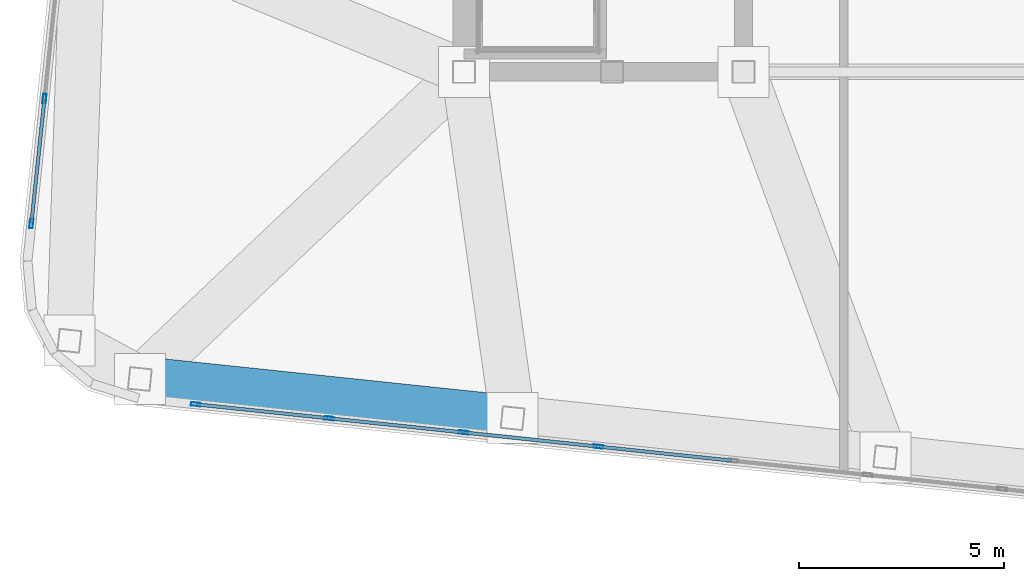
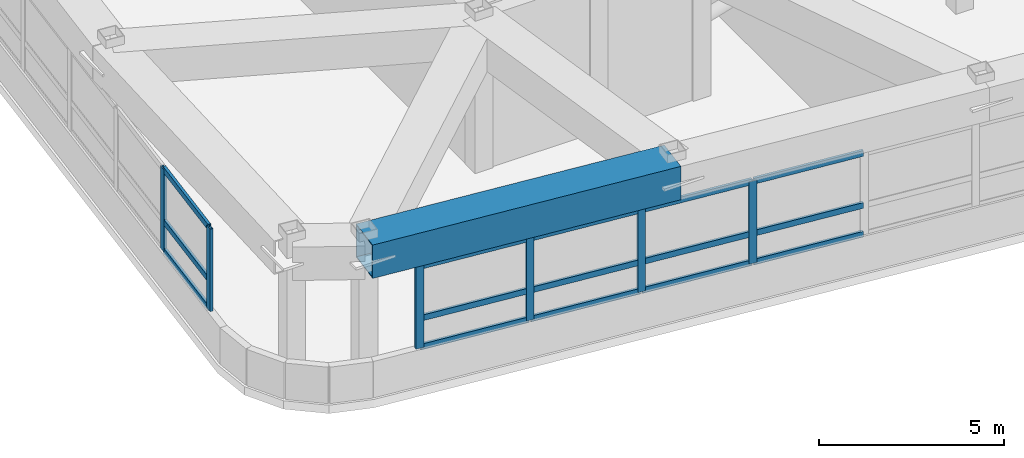
# One storey, part 2 of 23: 21 members, 1 beam, 2 elements without a shape of their own.
"""IFC4 building model written with IfcOpenShell, lengths in metres."""

from ifc_helpers import new_model, si_unit, direction, frame, origin, origin_2d, place, context, subcontext, project, spatial, hollow_rectangle, extrude, material, layer, layer_set, material_profile, profile_set, type_object, element, aggregate, save


model = new_model("IFC4")

# Units and contexts
model_context = context("Model", 3, precision=1e-05, world=origin(), true_north=direction((0.0, 1.0)))
body_context = subcontext(model_context, "Body", "Model", "MODEL_VIEW")
ifc_project = project(units=[si_unit("LENGTHUNIT", "METRE"), si_unit("AREAUNIT", "SQUARE_METRE"), si_unit("VOLUMEUNIT", "CUBIC_METRE"), si_unit("PLANEANGLEUNIT", "RADIAN"), si_unit("MASSUNIT", "GRAM", prefix="KILO")], contexts=[model_context])

# Site, building, storey
site_placement = place(None, origin())
site = spatial("IfcSite", under=ifc_project, at=site_placement, CompositionType="ELEMENT")
building_placement = place(site_placement, origin())
building = spatial("IfcBuilding", under=site, at=building_placement, Name="Voryun Gate Residences", CompositionType="ELEMENT")
storey_placement = place(building_placement, frame((0.0, 0.0, 316.0)))
storey = spatial("IfcBuildingStorey", under=building, at=storey_placement, Name="L78", CompositionType="ELEMENT", Elevation=316.0)

# Beam
ifc_material_1 = material(Name="Steel SM420", Category="steel")
ifc_material_profile_1 = material_profile(ifc_material_1, hollow_rectangle(XDim=1.10009765625, YDim=1.10009765625, WallThickness=0.035888671875, at=origin_2d()), Name="BOX-1100x1100x36")
ifc_profile_set_1 = profile_set([ifc_material_profile_1], Name="Steel SM420")
beam_type = type_object("IfcBeamType", Name="BM_ARCH_RIB", PredefinedType="USERDEFINED", material=ifc_profile_set_1)
beam_placement = place(storey_placement, frame((-27.088623046875, -14.871826171875, 4.47509765625), z_axis=(0.994523919568, -0.104509202498, 0.0), x_axis=(0.104509202498, 0.994523919568, 0.0)))
element("IfcBeam", 1, at=beam_placement, inside=storey, type_object=beam_type, Name="BM-L78-SPAND-01", ObjectType="GIRDER", PredefinedType="USERDEFINED", context=body_context, shape_type="SweptSolid", body=[
    extrude(hollow_rectangle(XDim=1.10009765625, YDim=1.10009765625, WallThickness=0.035888671875, at=origin_2d()), origin(), (0.0, 0.0, 1.0), 9.1201171875),
])

# Curtain wall, members
ifc_material_2 = material(Name="Anodised aluminium", Category="aluminium")
ifc_layer = layer(ifc_material_2, 0.22998046875, Name="CW_SYS_LANTERN_DARK_GLASS")
ifc_layer_set = layer_set([ifc_layer], Name="Anodised aluminium")
curtain_wall_type = type_object("IfcCurtainWallType", Name="CW_SYS_LANTERN_DARK_GLASS", PredefinedType="NOTDEFINED", material=ifc_layer_set)
curtain_wall_1_placement = place(storey_placement, origin())
curtain_wall_1 = element("IfcCurtainWall", 2, at=curtain_wall_1_placement, inside=storey, type_object=curtain_wall_type, Name="Curtain wall CW6-L78-01", PredefinedType="NOTDEFINED")
ifc_material_3 = material(Name="Anodised aluminium", Category="aluminium")
ifc_material_profile_2 = material_profile(ifc_material_3, hollow_rectangle(XDim=0.0849609375, YDim=0.22998046875, WallThickness=0.006103515625, at=origin_2d()), Name="ALU-MULL-230x85x6")
ifc_profile_set_2 = profile_set([ifc_material_profile_2], Name="Anodised aluminium")
member_type_1 = type_object("IfcMemberType", Name="CW_MULL_LANT", PredefinedType="MULLION", material=ifc_profile_set_2)
member_1_placement = place(storey_placement, frame((-15.930908203125, -16.51708984375, 1.18994140625), z_axis=(0.0, 0.0, 1.0), x_axis=(-0.10452775858, -0.994521969434, 0.0)))
member_1 = element("IfcMember", 3, at=member_1_placement, type_object=member_type_1, Name="CW6 mullion 11", PredefinedType="MULLION", context=body_context, shape_type="SweptSolid", body=[
    extrude(hollow_rectangle(XDim=0.0849609375, YDim=0.22998046875, WallThickness=0.006103515625, at=origin_2d()), origin(), (0.0, 0.0, 1.0), 2.72509765625),
])
member_2_placement = place(storey_placement, frame((-19.20751953125, -16.172607421875, 1.18994140625), z_axis=(0.0, 0.0, 1.0), x_axis=(-0.10452775858, -0.994521969434, 0.0)))
member_2 = element("IfcMember", 4, at=member_2_placement, type_object=member_type_1, Name="CW6 mullion 12", PredefinedType="MULLION", context=body_context, shape_type="SweptSolid", body=[
    extrude(hollow_rectangle(XDim=0.0849609375, YDim=0.22998046875, WallThickness=0.006103515625, at=origin_2d()), origin(), (0.0, 0.0, 1.0), 2.72509765625),
])
member_3_placement = place(storey_placement, frame((-22.484130859375, -15.828369140625, 1.18994140625), z_axis=(0.0, 0.0, 1.0), x_axis=(-0.10452775858, -0.994521969434, 0.0)))
member_3 = element("IfcMember", 5, at=member_3_placement, type_object=member_type_1, Name="CW6 mullion 13", PredefinedType="MULLION", context=body_context, shape_type="SweptSolid", body=[
    extrude(hollow_rectangle(XDim=0.0849609375, YDim=0.22998046875, WallThickness=0.006103515625, at=origin_2d()), origin(), (0.0, 0.0, 1.0), 2.72509765625),
])
member_4_placement = place(storey_placement, frame((-25.73095703125, -15.487060546875, 1.18994140625), z_axis=(0.0, 0.0, 1.0), x_axis=(-0.10452775858, -0.994521969434, 0.0)))
member_4 = element("IfcMember", 6, at=member_4_placement, type_object=member_type_1, Name="CW6 mullion 14", PredefinedType="MULLION", context=body_context, shape_type="SweptSolid", body=[
    extrude(hollow_rectangle(XDim=0.0849609375, YDim=0.22998046875, WallThickness=0.006103515625, at=origin_2d()), origin(), (0.0, 0.0, 1.0), 2.72509765625),
])

curtain_wall_2_placement = place(storey_placement, origin())
curtain_wall_2 = element("IfcCurtainWall", 7, at=curtain_wall_2_placement, inside=storey, type_object=curtain_wall_type, Name="Curtain wall CW6-L78-06", PredefinedType="NOTDEFINED")
member_5_placement = place(storey_placement, frame((-29.727783203125, -11.090576171875, 1.18994140625), z_axis=(0.0, 0.0, 1.0), x_axis=(-0.994521943608, 0.104528004296, 0.0)))
member_5 = element("IfcMember", 8, at=member_5_placement, type_object=member_type_1, Name="CW6 mullion 1", PredefinedType="MULLION", context=body_context, shape_type="SweptSolid", body=[
    extrude(hollow_rectangle(XDim=0.0849609375, YDim=0.22998046875, WallThickness=0.006103515625, at=origin_2d()), origin(), (0.0, 0.0, 1.0), 2.72509765625),
])
member_6_placement = place(storey_placement, frame((-29.408203125, -8.04931640625, 1.18994140625), z_axis=(0.0, 0.0, 1.0), x_axis=(-0.994521943608, 0.104528004296, 0.0)))
member_6 = element("IfcMember", 9, at=member_6_placement, type_object=member_type_1, Name="CW6 mullion 2", PredefinedType="MULLION", context=body_context, shape_type="SweptSolid", body=[
    extrude(hollow_rectangle(XDim=0.0849609375, YDim=0.22998046875, WallThickness=0.006103515625, at=origin_2d()), origin(), (0.0, 0.0, 1.0), 2.72509765625),
])

# Member
ifc_material_4 = material(Name="Anodised aluminium", Category="aluminium")
ifc_material_profile_3 = material_profile(ifc_material_4, hollow_rectangle(XDim=0.0849609375, YDim=0.18994140625, WallThickness=0.006103515625, at=origin_2d()), Name="ALU-TRAN-190x85x6")
ifc_profile_set_3 = profile_set([ifc_material_profile_3], Name="Anodised aluminium")
member_type_2 = type_object("IfcMemberType", Name="CW_TRAN_LANT", PredefinedType="USERDEFINED", material=ifc_profile_set_3)
member_7_placement = place(storey_placement, frame((-12.68408203125, -16.8583984375, 1.219970703125), z_axis=(-0.994520745033, 0.104539407398, 0.0), x_axis=(-0.104539407398, -0.994520745033, 0.0)))
member_7 = element("IfcMember", 10, at=member_7_placement, type_object=member_type_2, Name="CW6 transom 10.1", ObjectType="TRANSOM", PredefinedType="USERDEFINED", context=body_context, shape_type="SweptSolid", body=[
    extrude(hollow_rectangle(XDim=0.0849609375, YDim=0.18994140625, WallThickness=0.006103515625, at=origin_2d()), origin(), (0.0, 0.0, 1.0), 3.234619140625),
])

member_8_placement = place(storey_placement, frame((-12.68408203125, -16.8583984375, 2.1708984375), z_axis=(-0.994520745033, 0.104539407398, 0.0), x_axis=(-0.104539407398, -0.994520745033, 0.0)))
member_8 = element("IfcMember", 11, at=member_8_placement, type_object=member_type_2, Name="CW6 transom 10.2", ObjectType="TRANSOM", PredefinedType="USERDEFINED", context=body_context, shape_type="SweptSolid", body=[
    extrude(hollow_rectangle(XDim=0.0849609375, YDim=0.18994140625, WallThickness=0.006103515625, at=origin_2d()), origin(), (0.0, 0.0, 1.0), 3.234619140625),
])

member_9_placement = place(storey_placement, frame((-12.68408203125, -16.8583984375, 3.885009765625), z_axis=(-0.994520745033, 0.104539407398, 0.0), x_axis=(-0.104539407398, -0.994520745033, 0.0)))
member_9 = element("IfcMember", 12, at=member_9_placement, type_object=member_type_2, Name="CW6 transom 10.3", ObjectType="TRANSOM", PredefinedType="USERDEFINED", context=body_context, shape_type="SweptSolid", body=[
    extrude(hollow_rectangle(XDim=0.0849609375, YDim=0.18994140625, WallThickness=0.006103515625, at=origin_2d()), origin(), (0.0, 0.0, 1.0), 3.234619140625),
])

member_10_placement = place(storey_placement, frame((-15.960693359375, -16.513916015625, 1.219970703125), z_axis=(-0.994521569819, 0.104531560613, 0.0), x_axis=(-0.104531560613, -0.994521569819, 0.0)))
member_10 = element("IfcMember", 13, at=member_10_placement, type_object=member_type_2, Name="CW6 transom 11.1", ObjectType="TRANSOM", PredefinedType="USERDEFINED", context=body_context, shape_type="SweptSolid", body=[
    extrude(hollow_rectangle(XDim=0.0849609375, YDim=0.18994140625, WallThickness=0.006103515625, at=origin_2d()), origin(), (0.0, 0.0, 1.0), 3.23486328125),
])

member_11_placement = place(storey_placement, frame((-15.960693359375, -16.513916015625, 2.1708984375), z_axis=(-0.994521569819, 0.104531560613, 0.0), x_axis=(-0.104531560613, -0.994521569819, 0.0)))
member_11 = element("IfcMember", 14, at=member_11_placement, type_object=member_type_2, Name="CW6 transom 11.2", ObjectType="TRANSOM", PredefinedType="USERDEFINED", context=body_context, shape_type="SweptSolid", body=[
    extrude(hollow_rectangle(XDim=0.0849609375, YDim=0.18994140625, WallThickness=0.006103515625, at=origin_2d()), origin(), (0.0, 0.0, 1.0), 3.23486328125),
])

member_12_placement = place(storey_placement, frame((-15.960693359375, -16.513916015625, 3.885009765625), z_axis=(-0.994521569819, 0.104531560613, 0.0), x_axis=(-0.104531560613, -0.994521569819, 0.0)))
member_12 = element("IfcMember", 15, at=member_12_placement, type_object=member_type_2, Name="CW6 transom 11.3", ObjectType="TRANSOM", PredefinedType="USERDEFINED", context=body_context, shape_type="SweptSolid", body=[
    extrude(hollow_rectangle(XDim=0.0849609375, YDim=0.18994140625, WallThickness=0.006103515625, at=origin_2d()), origin(), (0.0, 0.0, 1.0), 3.23486328125),
])

member_13_placement = place(storey_placement, frame((-19.2373046875, -16.16943359375, 1.219970703125), z_axis=(-0.994521569819, 0.104531560613, 0.0), x_axis=(-0.104531560613, -0.994521569819, 0.0)))
member_13 = element("IfcMember", 16, at=member_13_placement, type_object=member_type_2, Name="CW6 transom 12.1", ObjectType="TRANSOM", PredefinedType="USERDEFINED", context=body_context, shape_type="SweptSolid", body=[
    extrude(hollow_rectangle(XDim=0.0849609375, YDim=0.18994140625, WallThickness=0.006103515625, at=origin_2d()), origin(), (0.0, 0.0, 1.0), 3.23486328125),
])

member_14_placement = place(storey_placement, frame((-19.2373046875, -16.16943359375, 2.1708984375), z_axis=(-0.994521569819, 0.104531560613, 0.0), x_axis=(-0.104531560613, -0.994521569819, 0.0)))
member_14 = element("IfcMember", 17, at=member_14_placement, type_object=member_type_2, Name="CW6 transom 12.2", ObjectType="TRANSOM", PredefinedType="USERDEFINED", context=body_context, shape_type="SweptSolid", body=[
    extrude(hollow_rectangle(XDim=0.0849609375, YDim=0.18994140625, WallThickness=0.006103515625, at=origin_2d()), origin(), (0.0, 0.0, 1.0), 3.23486328125),
])

member_15_placement = place(storey_placement, frame((-19.2373046875, -16.16943359375, 3.885009765625), z_axis=(-0.994521569819, 0.104531560613, 0.0), x_axis=(-0.104531560613, -0.994521569819, 0.0)))
member_15 = element("IfcMember", 18, at=member_15_placement, type_object=member_type_2, Name="CW6 transom 12.3", ObjectType="TRANSOM", PredefinedType="USERDEFINED", context=body_context, shape_type="SweptSolid", body=[
    extrude(hollow_rectangle(XDim=0.0849609375, YDim=0.18994140625, WallThickness=0.006103515625, at=origin_2d()), origin(), (0.0, 0.0, 1.0), 3.23486328125),
])

member_16_placement = place(storey_placement, frame((-22.513916015625, -15.8251953125, 1.219970703125), z_axis=(-0.994522138405, 0.104526150903, 0.0), x_axis=(-0.104526150903, -0.994522138405, 0.0)))
member_16 = element("IfcMember", 19, at=member_16_placement, type_object=member_type_2, Name="CW6 transom 13.1", ObjectType="TRANSOM", PredefinedType="USERDEFINED", context=body_context, shape_type="SweptSolid", body=[
    extrude(hollow_rectangle(XDim=0.0849609375, YDim=0.18994140625, WallThickness=0.006103515625, at=origin_2d()), origin(), (0.0, 0.0, 1.0), 3.20458984375),
])

member_17_placement = place(storey_placement, frame((-22.513916015625, -15.8251953125, 2.1708984375), z_axis=(-0.994522138405, 0.104526150903, 0.0), x_axis=(-0.104526150903, -0.994522138405, 0.0)))
member_17 = element("IfcMember", 20, at=member_17_placement, type_object=member_type_2, Name="CW6 transom 13.2", ObjectType="TRANSOM", PredefinedType="USERDEFINED", context=body_context, shape_type="SweptSolid", body=[
    extrude(hollow_rectangle(XDim=0.0849609375, YDim=0.18994140625, WallThickness=0.006103515625, at=origin_2d()), origin(), (0.0, 0.0, 1.0), 3.20458984375),
])

member_18_placement = place(storey_placement, frame((-22.513916015625, -15.8251953125, 3.885009765625), z_axis=(-0.994522138405, 0.104526150903, 0.0), x_axis=(-0.104526150903, -0.994522138405, 0.0)))
member_18 = element("IfcMember", 21, at=member_18_placement, type_object=member_type_2, Name="CW6 transom 13.3", ObjectType="TRANSOM", PredefinedType="USERDEFINED", context=body_context, shape_type="SweptSolid", body=[
    extrude(hollow_rectangle(XDim=0.0849609375, YDim=0.18994140625, WallThickness=0.006103515625, at=origin_2d()), origin(), (0.0, 0.0, 1.0), 3.20458984375),
])

aggregate(curtain_wall_1, [member_1, member_2, member_3, member_4, member_7, member_8, member_9, member_10, member_11, member_12, member_13, member_14, member_15, member_16, member_17, member_18])

member_19_placement = place(storey_placement, frame((-29.724609375, -11.060546875, 1.219970703125), z_axis=(0.104485537102, 0.994526406153, 0.0), x_axis=(-0.994526406153, 0.104485537102, 0.0)))
member_19 = element("IfcMember", 22, at=member_19_placement, type_object=member_type_2, Name="CW6 transom 1.1", ObjectType="TRANSOM", PredefinedType="USERDEFINED", context=body_context, shape_type="SweptSolid", body=[
    extrude(hollow_rectangle(XDim=0.0849609375, YDim=0.18994140625, WallThickness=0.006103515625, at=origin_2d()), origin(), (0.0, 0.0, 1.0), 2.997802734375),
])

member_20_placement = place(storey_placement, frame((-29.724609375, -11.060546875, 2.1708984375), z_axis=(0.104485537102, 0.994526406153, 0.0), x_axis=(-0.994526406153, 0.104485537102, 0.0)))
member_20 = element("IfcMember", 23, at=member_20_placement, type_object=member_type_2, Name="CW6 transom 1.2", ObjectType="TRANSOM", PredefinedType="USERDEFINED", context=body_context, shape_type="SweptSolid", body=[
    extrude(hollow_rectangle(XDim=0.0849609375, YDim=0.18994140625, WallThickness=0.006103515625, at=origin_2d()), origin(), (0.0, 0.0, 1.0), 2.997802734375),
])

member_21_placement = place(storey_placement, frame((-29.724609375, -11.060546875, 3.885009765625), z_axis=(0.104485537102, 0.994526406153, 0.0), x_axis=(-0.994526406153, 0.104485537102, 0.0)))
member_21 = element("IfcMember", 24, at=member_21_placement, type_object=member_type_2, Name="CW6 transom 1.3", ObjectType="TRANSOM", PredefinedType="USERDEFINED", context=body_context, shape_type="SweptSolid", body=[
    extrude(hollow_rectangle(XDim=0.0849609375, YDim=0.18994140625, WallThickness=0.006103515625, at=origin_2d()), origin(), (0.0, 0.0, 1.0), 2.997802734375),
])

aggregate(curtain_wall_2, [member_5, member_6, member_19, member_20, member_21])

save(model, "model.ifc")
